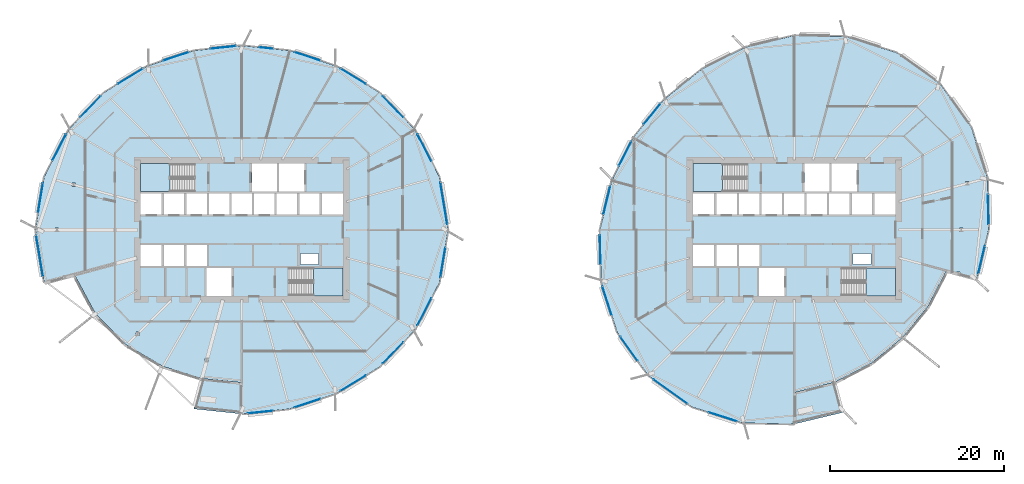
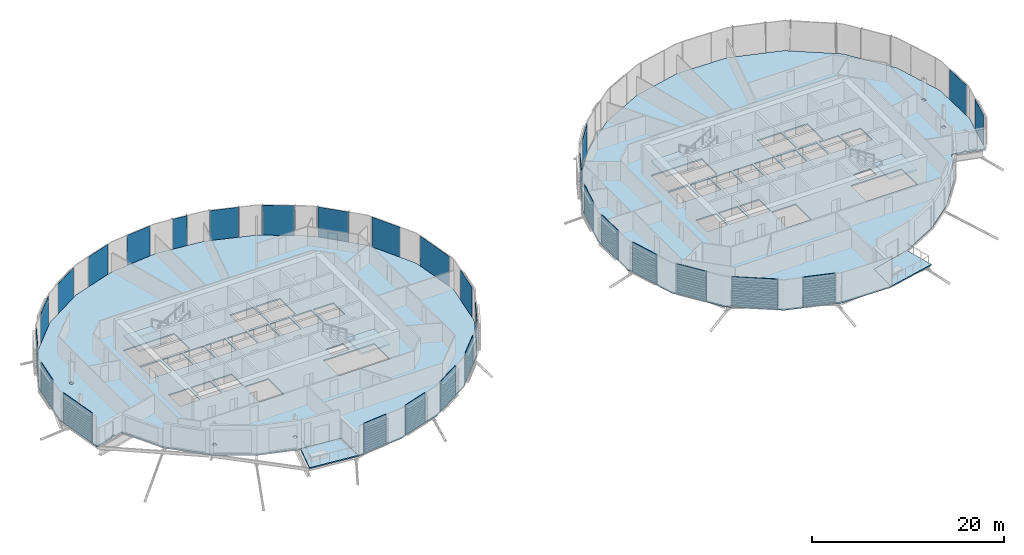
# One storey, part 20 of 43: 29 plates, 8 slabs, 6 elements without a shape of their own.
"""IFC4 building model written with IfcOpenShell, lengths in metres."""

from ifc_helpers import new_model, si_unit, direction, frame, origin, origin_2d, place, context, subcontext, project, spatial, polyline, rectangle, outline, extrude, material, layer, layer_set, type_object, element, aggregate, save


model = new_model("IFC4")

# Units and contexts
model_context = context("Model", 3, precision=1e-05, world=origin(), true_north=direction((0.0, 1.0)))
body_context = subcontext(model_context, "Body", "Model", "MODEL_VIEW")
ifc_project = project(units=[si_unit("LENGTHUNIT", "METRE"), si_unit("AREAUNIT", "SQUARE_METRE"), si_unit("VOLUMEUNIT", "CUBIC_METRE"), si_unit("PLANEANGLEUNIT", "RADIAN"), si_unit("MASSUNIT", "GRAM", prefix="KILO")], contexts=[model_context])

# Site, building, storey
site_placement = place(None, origin())
site = spatial("IfcSite", under=ifc_project, at=site_placement, CompositionType="ELEMENT")
building_placement = place(site_placement, origin())
building = spatial("IfcBuilding", under=site, at=building_placement, Name="Rimbun Link Towers", CompositionType="ELEMENT")
storey_placement = place(building_placement, frame((0.0, 0.0, 81.60009765625)))
storey = spatial("IfcBuildingStorey", under=building, at=storey_placement, Name="L19", CompositionType="ELEMENT", Elevation=81.60009765625)

# Slabs
ifc_material_1 = material(Name="Concrete C35/45", Category="concrete")
ifc_layer_1 = layer(ifc_material_1, 0.159912109375)
ifc_layer_set_1 = layer_set([ifc_layer_1], Name="COMPOSITE FLOOR 160")
slab_type_1 = type_object("IfcSlabType", Name="COMPOSITE FLOOR 160", PredefinedType="FLOOR", material=ifc_layer_set_1)
slab_1_placement = place(storey_placement, frame((0.0, 0.0, -0.16015625)))
element("IfcSlab", 1, at=slab_1_placement, inside=storey, type_object=slab_type_1, Name="Floor slab T1 L19", PredefinedType="FLOOR", context=body_context, shape_type="SweptSolid", body=[
    extrude(outline(polyline([(-54.45556640625, -6.083984375), (-55.455810546875, 0.0), (-54.45556640625, 6.083984375), (-51.65673828125, 11.4931640625), (-47.53857421875, 15.78857421875), (-42.61181640625, 18.8134765625), (-37.265869140625, 20.585205078125), (-31.75, 21.166015625), (-26.234130859375, 20.585205078125), (-20.88818359375, 18.8134765625), (-15.96142578125, 15.78857421875), (-11.84326171875, 11.4931640625), (-9.04443359375, 6.083984375), (-8.044189453125, 0.0), (-9.04443359375, -6.083984375), (-11.84326171875, -11.4931640625), (-15.96142578125, -15.78857421875), (-20.88818359375, -18.8134765625), (-26.234130859375, -20.585205078125), (-31.75, -21.166015625), (-31.75, -17.56591796875), (-36.333984375, -17.10791015625), (-40.81201171875, -15.69580078125), (-44.992919921875, -13.242919921875), (-48.5390625, -9.693115234375), (-50.978271484375, -5.152099609375), (-51.868896484375, -5.390869140625), (-51.868896484375, -5.24755859375), (-52.267822265625, -5.24755859375), (-52.267822265625, -5.497802734375), (-54.45556640625, -6.083984375)]), holes=[polyline([(-35.559814453125, -15.159912109375), (-35.559814453125, -14.76611328125), (-35.958740234375, -14.76611328125), (-35.958740234375, -15.159912109375), (-35.559814453125, -15.159912109375)]), polyline([(-43.5205078125, -12.166748046875), (-43.5205078125, -11.773193359375), (-43.91943359375, -11.773193359375), (-43.91943359375, -12.166748046875), (-43.5205078125, -12.166748046875)]), polyline([(-43.375, -4.14990234375), (-40.95556640625, -4.14990234375), (-40.95556640625, -1.75), (-43.375, -1.75), (-43.375, -4.14990234375)]), polyline([(-40.70556640625, -4.14990234375), (-38.361083984375, -4.14990234375), (-38.361083984375, -1.75), (-40.70556640625, -1.75), (-40.70556640625, -4.14990234375)]), polyline([(-35.7666015625, -4.14990234375), (-35.7666015625, -1.75), (-38.111083984375, -1.75), (-38.111083984375, -4.14990234375), (-35.7666015625, -4.14990234375)]), polyline([(-53.185791015625, -0.19677734375), (-52.786865234375, -0.19677734375), (-52.786865234375, 0.19677734375), (-53.185791015625, 0.19677734375), (-53.185791015625, -0.19677734375)]), polyline([(-43.375, 1.75), (-40.95556640625, 1.75), (-40.95556640625, 4.14990234375), (-43.375, 4.14990234375), (-43.375, 1.75)]), polyline([(-38.361083984375, 1.75), (-38.361083984375, 4.14990234375), (-40.70556640625, 4.14990234375), (-40.70556640625, 1.75), (-38.361083984375, 1.75)]), polyline([(-38.111083984375, 1.75), (-35.7666015625, 1.75), (-35.7666015625, 4.14990234375), (-38.111083984375, 4.14990234375), (-38.111083984375, 1.75)]), polyline([(-51.278076171875, 4.982421875), (-50.87890625, 4.982421875), (-50.87890625, 5.3759765625), (-51.278076171875, 5.3759765625), (-51.278076171875, 4.982421875)]), polyline([(-37.260009765625, 4.39990234375), (-37.260009765625, 7.625), (-43.375, 7.625), (-43.375, 4.39990234375), (-37.260009765625, 4.39990234375)]), polyline([(-35.800048828125, -7.625), (-32.89990234375, -7.625), (-32.89990234375, -4.39990234375), (-35.800048828125, -4.39990234375), (-35.800048828125, -7.625)]), polyline([(-26.239990234375, -7.625), (-20.125, -7.625), (-20.125, -4.39990234375), (-26.239990234375, -4.39990234375), (-26.239990234375, -7.625)]), polyline([(-24.989013671875, -4.0), (-22.9443359375, -4.0), (-22.9443359375, -2.75), (-24.989013671875, -2.75), (-24.989013671875, -4.0)]), polyline([(-35.5166015625, 1.75), (-33.172119140625, 1.75), (-33.172119140625, 4.14990234375), (-35.5166015625, 4.14990234375), (-35.5166015625, 1.75)]), polyline([(-32.922119140625, 1.75), (-30.577880859375, 1.75), (-30.577880859375, 4.14990234375), (-32.922119140625, 4.14990234375), (-32.922119140625, 1.75)]), polyline([(-27.9833984375, 1.75), (-27.9833984375, 4.14990234375), (-30.327880859375, 4.14990234375), (-30.327880859375, 1.75), (-27.9833984375, 1.75)]), polyline([(-27.7333984375, 1.75), (-25.388916015625, 1.75), (-25.388916015625, 4.14990234375), (-27.7333984375, 4.14990234375), (-27.7333984375, 1.75)]), polyline([(-25.138916015625, 1.75), (-22.79443359375, 1.75), (-22.79443359375, 4.14990234375), (-25.138916015625, 4.14990234375), (-25.138916015625, 1.75)]), polyline([(-20.125, 1.75), (-20.125, 4.14990234375), (-22.54443359375, 4.14990234375), (-22.54443359375, 1.75), (-20.125, 1.75)]), polyline([(-30.60009765625, 4.39990234375), (-27.699951171875, 4.39990234375), (-27.699951171875, 7.625), (-30.60009765625, 7.625), (-30.60009765625, 4.39990234375)]), polyline([(-27.449951171875, 4.39990234375), (-24.550048828125, 4.39990234375), (-24.550048828125, 7.625), (-27.449951171875, 7.625), (-27.449951171875, 4.39990234375)])]), origin(), (0.0, 0.0, 1.0), 0.16015625),
])
slab_2_placement = place(storey_placement, frame((0.0, 0.0, -0.16015625)))
element("IfcSlab", 2, at=slab_2_placement, inside=storey, type_object=slab_type_1, Name="Floor slab T2 L19", PredefinedType="FLOOR", context=body_context, shape_type="SweptSolid", body=[
    extrude(outline(polyline([(49.25634765625, -4.69091796875), (47.08837890625, -8.855712890625), (44.1708984375, -12.4208984375), (40.605712890625, -15.33837890625), (36.44091796875, -17.50634765625), (31.75, -18.728271484375), (31.75, -22.328369140625), (25.80078125, -22.202880859375), (19.996826171875, -20.357177734375), (14.9873046875, -16.7626953125), (11.392822265625, -11.753173828125), (9.547119140625, -5.94921875), (9.421630859375, 0.0), (10.766357421875, 5.62255859375), (13.2939453125, 10.655517578125), (16.783447265625, 14.966552734375), (21.094482421875, 18.4560546875), (26.12744140625, 20.983642578125), (31.75, 22.328369140625), (37.69921875, 22.202880859375), (43.503173828125, 20.357177734375), (48.5126953125, 16.7626953125), (52.107177734375, 11.753173828125), (53.952880859375, 5.94921875), (54.078369140625, 0.0), (52.733642578125, -5.62255859375), (50.811767578125, -5.107666015625), (50.811767578125, -4.857421875), (50.41259765625, -4.857421875), (50.41259765625, -5.000732421875), (49.25634765625, -4.69091796875)]), holes=[polyline([(30.60009765625, -7.625), (30.60009765625, -4.39990234375), (27.699951171875, -4.39990234375), (27.699951171875, -7.625), (30.60009765625, -7.625)]), polyline([(22.54443359375, -4.14990234375), (22.54443359375, -1.75), (20.125, -1.75), (20.125, -4.14990234375), (22.54443359375, -4.14990234375)]), polyline([(25.138916015625, -4.14990234375), (25.138916015625, -1.75), (22.79443359375, -1.75), (22.79443359375, -4.14990234375), (25.138916015625, -4.14990234375)]), polyline([(25.388916015625, -4.14990234375), (27.7333984375, -4.14990234375), (27.7333984375, -1.75), (25.388916015625, -1.75), (25.388916015625, -4.14990234375)]), polyline([(20.125, 1.75), (22.54443359375, 1.75), (22.54443359375, 4.14990234375), (20.125, 4.14990234375), (20.125, 1.75)]), polyline([(25.138916015625, 1.75), (25.138916015625, 4.14990234375), (22.79443359375, 4.14990234375), (22.79443359375, 1.75), (25.138916015625, 1.75)]), polyline([(27.7333984375, 1.75), (27.7333984375, 4.14990234375), (25.388916015625, 4.14990234375), (25.388916015625, 1.75), (27.7333984375, 1.75)]), polyline([(30.327880859375, 1.75), (30.327880859375, 4.14990234375), (27.9833984375, 4.14990234375), (27.9833984375, 1.75), (30.327880859375, 1.75)]), polyline([(30.577880859375, 1.75), (32.922119140625, 1.75), (32.922119140625, 4.14990234375), (30.577880859375, 4.14990234375), (30.577880859375, 1.75)]), polyline([(33.172119140625, 1.75), (35.5166015625, 1.75), (35.5166015625, 4.14990234375), (33.172119140625, 4.14990234375), (33.172119140625, 1.75)]), polyline([(26.239990234375, 4.39990234375), (26.239990234375, 7.625), (20.125, 7.625), (20.125, 4.39990234375), (26.239990234375, 4.39990234375)]), polyline([(43.375, -7.625), (43.375, -4.39990234375), (37.260009765625, -4.39990234375), (37.260009765625, -7.625), (43.375, -7.625)]), polyline([(38.510986328125, -2.75), (38.510986328125, -4.0), (40.5556640625, -4.0), (40.5556640625, -2.75), (38.510986328125, -2.75)]), polyline([(50.749755859375, -0.19677734375), (51.148681640625, -0.19677734375), (51.148681640625, 0.19677734375), (50.749755859375, 0.19677734375), (50.749755859375, -0.19677734375)]), polyline([(38.111083984375, 1.75), (38.111083984375, 4.14990234375), (35.7666015625, 4.14990234375), (35.7666015625, 1.75), (38.111083984375, 1.75)]), polyline([(38.361083984375, 1.75), (40.70556640625, 1.75), (40.70556640625, 4.14990234375), (38.361083984375, 4.14990234375), (38.361083984375, 1.75)]), polyline([(40.95556640625, 1.75), (43.375, 1.75), (43.375, 4.14990234375), (40.95556640625, 4.14990234375), (40.95556640625, 1.75)]), polyline([(51.851318359375, 5.135986328125), (51.851318359375, 5.529541015625), (51.452392578125, 5.529541015625), (51.452392578125, 5.135986328125), (51.851318359375, 5.135986328125)]), polyline([(32.89990234375, 4.39990234375), (35.800048828125, 4.39990234375), (35.800048828125, 7.625), (32.89990234375, 7.625), (32.89990234375, 4.39990234375)]), polyline([(36.050048828125, 4.39990234375), (38.949951171875, 4.39990234375), (38.949951171875, 7.625), (36.050048828125, 7.625), (36.050048828125, 4.39990234375)])]), origin(), (0.0, 0.0, 1.0), 0.16015625),
])

# Curtain wall, plates
ifc_material_2 = material(Name="Aluminium 6063-T6 and low-iron glass", Category="aluminium")
curtain_wall_type = type_object("IfcCurtainWallType", Name="CW1-Z2 unitised vision wall (zone 2)", PredefinedType="NOTDEFINED", material=ifc_material_2)
curtain_wall_1_placement = place(storey_placement, origin())
curtain_wall_1 = element("IfcCurtainWall", 3, at=curtain_wall_1_placement, inside=storey, type_object=curtain_wall_type, Name="CW1 L19 T1", PredefinedType="NOTDEFINED")
ifc_material_3 = material(Name="Low-iron glass, laminated low-e unit", Category="glass")
ifc_layer_2 = layer(ifc_material_3, 0.028076171875)
ifc_layer_set_2 = layer_set([ifc_layer_2], Name="CW1 panel Low-iron glass 28")
plate_type = type_object("IfcPlateType", Name="CW1 panel Low-iron glass 28", PredefinedType="CURTAIN_PANEL", material=ifc_layer_set_2)
plate_1_placement = place(storey_placement, frame((-8.530517578125, 3.044189453125, 0.0), z_axis=(0.0, 0.0, 1.0), x_axis=(0.162255058613, -0.986748851509, 0.0)))
plate_1 = element("IfcPlate", 4, at=plate_1_placement, type_object=plate_type, Name="CW1 panel", PredefinedType="CURTAIN_PANEL", context=body_context, shape_type="SweptSolid", body=[
    extrude(rectangle(XDim=4.82568359375, YDim=0.028076171875, at=origin_2d()), origin(), (0.0, 0.0, 1.0), 3.800048828125),
])
plate_2_placement = place(storey_placement, frame((-10.753173828125, 9.416748046875, 0.0), z_axis=(0.0, 0.0, 1.0), x_axis=(0.459544411514, -0.888154791602, 0.0)))
plate_2 = element("IfcPlate", 5, at=plate_2_placement, type_object=plate_type, Name="CW1 panel", PredefinedType="CURTAIN_PANEL", context=body_context, shape_type="SweptSolid", body=[
    extrude(rectangle(XDim=3.450439453125, YDim=0.028076171875, at=origin_2d()), origin(), (0.0, 0.0, 1.0), 3.800048828125),
])
plate_3_placement = place(storey_placement, frame((-14.359375, 14.1376953125, 0.0), z_axis=(0.0, 0.0, 1.0), x_axis=(0.692060834658, -0.721839179549, 0.0)))
plate_3 = element("IfcPlate", 6, at=plate_3_placement, type_object=plate_type, Name="CW1 panel", PredefinedType="CURTAIN_PANEL", context=body_context, shape_type="SweptSolid", body=[
    extrude(rectangle(XDim=3.360595703125, YDim=0.028076171875, at=origin_2d()), origin(), (0.0, 0.0, 1.0), 3.800048828125),
])
plate_4_placement = place(storey_placement, frame((-18.9287109375, 17.626708984375, 0.0), z_axis=(0.0, 0.0, 1.0), x_axis=(0.852187057689, -0.523237248968, 0.0)))
plate_4 = element("IfcPlate", 7, at=plate_4_placement, type_object=plate_type, Name="CW1 panel", PredefinedType="CURTAIN_PANEL", context=body_context, shape_type="SweptSolid", body=[
    extrude(rectangle(XDim=3.341064453125, YDim=0.028076171875, at=origin_2d()), origin(), (0.0, 0.0, 1.0), 3.800048828125),
])
plate_5_placement = place(storey_placement, frame((-24.173828125, 19.9169921875, 0.0), z_axis=(0.0, 0.0, 1.0), x_axis=(0.949232284646, -0.314576015911, 0.0)))
plate_5 = element("IfcPlate", 8, at=plate_5_placement, type_object=plate_type, Name="CW1 panel", PredefinedType="CURTAIN_PANEL", context=body_context, shape_type="SweptSolid", body=[
    extrude(rectangle(XDim=3.092041015625, YDim=0.028076171875, at=origin_2d()), origin(), (0.0, 0.0, 1.0), 3.800048828125),
])
plate_6_placement = place(storey_placement, frame((-28.94091796875, 20.88427734375, 0.0), z_axis=(0.0, 0.0, 1.0), x_axis=(0.994500017876, -0.104736404583, 0.0)))
plate_6 = element("IfcPlate", 9, at=plate_6_placement, type_object=plate_type, Name="CW1 panel", PredefinedType="CURTAIN_PANEL", context=body_context, shape_type="SweptSolid", body=[
    extrude(rectangle(XDim=1.606201171875, YDim=0.028076171875, at=origin_2d()), origin(), (0.0, 0.0, 1.0), 3.800048828125),
])
plate_7_placement = place(storey_placement, frame((-33.8876953125, 20.954833984375, 0.0), z_axis=(0.0, 0.0, 1.0), x_axis=(0.994500017876, 0.104736404583, 0.0)))
plate_7 = element("IfcPlate", 10, at=plate_7_placement, type_object=plate_type, Name="CW1 panel", PredefinedType="CURTAIN_PANEL", context=body_context, shape_type="SweptSolid", body=[
    extrude(rectangle(XDim=2.956298828125, YDim=0.028076171875, at=origin_2d()), origin(), (0.0, 0.0, 1.0), 3.800048828125),
])
plate_8_placement = place(storey_placement, frame((-39.326171875, 19.9169921875, 0.0), z_axis=(0.0, 0.0, 1.0), x_axis=(0.949232284646, 0.314576015911, 0.0)))
plate_8 = element("IfcPlate", 11, at=plate_8_placement, type_object=plate_type, Name="CW1 panel", PredefinedType="CURTAIN_PANEL", context=body_context, shape_type="SweptSolid", body=[
    extrude(rectangle(XDim=3.092041015625, YDim=0.028076171875, at=origin_2d()), origin(), (0.0, 0.0, 1.0), 3.800048828125),
])
plate_9_placement = place(storey_placement, frame((-44.5712890625, 17.626708984375, 0.0), z_axis=(0.0, 0.0, 1.0), x_axis=(0.852187057689, 0.523237248968, 0.0)))
plate_9 = element("IfcPlate", 12, at=plate_9_placement, type_object=plate_type, Name="CW1 panel", PredefinedType="CURTAIN_PANEL", context=body_context, shape_type="SweptSolid", body=[
    extrude(rectangle(XDim=3.341064453125, YDim=0.028076171875, at=origin_2d()), origin(), (0.0, 0.0, 1.0), 3.800048828125),
])
plate_10_placement = place(storey_placement, frame((-49.140625, 14.1376953125, 0.0), z_axis=(0.0, 0.0, 1.0), x_axis=(0.692060834658, 0.721839179549, 0.0)))
plate_10 = element("IfcPlate", 13, at=plate_10_placement, type_object=plate_type, Name="CW1 panel", PredefinedType="CURTAIN_PANEL", context=body_context, shape_type="SweptSolid", body=[
    extrude(rectangle(XDim=3.360595703125, YDim=0.028076171875, at=origin_2d()), origin(), (0.0, 0.0, 1.0), 3.800048828125),
])
plate_11_placement = place(storey_placement, frame((-52.723876953125, 9.4609375, 0.0), z_axis=(0.0, 0.0, 1.0), x_axis=(0.459544411514, 0.888154791602, 0.0)))
plate_11 = element("IfcPlate", 14, at=plate_11_placement, type_object=plate_type, Name="CW1 panel", PredefinedType="CURTAIN_PANEL", context=body_context, shape_type="SweptSolid", body=[
    extrude(rectangle(XDim=3.350341796875, YDim=0.028076171875, at=origin_2d()), origin(), (0.0, 0.0, 1.0), 3.800048828125),
])
plate_12_placement = place(storey_placement, frame((-54.8720703125, 3.63623046875, 0.0), z_axis=(0.0, 0.0, 1.0), x_axis=(0.162255058613, 0.986748851509, 0.0)))
plate_12 = element("IfcPlate", 15, at=plate_12_placement, type_object=plate_type, Name="CW1 panel", PredefinedType="CURTAIN_PANEL", context=body_context, shape_type="SweptSolid", body=[
    extrude(rectangle(XDim=3.425537109375, YDim=0.028076171875, at=origin_2d()), origin(), (0.0, 0.0, 1.0), 3.800048828125),
])
plate_13_placement = place(storey_placement, frame((-54.9775390625, -2.994873046875, 0.0), z_axis=(0.0, 0.0, 1.0), x_axis=(-0.162255058613, 0.986748851509, 0.0)))
plate_13 = element("IfcPlate", 16, at=plate_13_placement, type_object=plate_type, Name="CW1 panel", PredefinedType="CURTAIN_PANEL", context=body_context, shape_type="SweptSolid", body=[
    extrude(rectangle(XDim=4.7255859375, YDim=0.028076171875, at=origin_2d()), origin(), (0.0, 0.0, 1.0), 3.800048828125),
])
plate_14_placement = place(storey_placement, frame((-29.6123046875, -20.954833984375, 0.0), z_axis=(0.0, 0.0, 1.0), x_axis=(-0.994500017876, -0.104736404583, 0.0)))
plate_14 = element("IfcPlate", 17, at=plate_14_placement, type_object=plate_type, Name="CW1 panel", PredefinedType="CURTAIN_PANEL", context=body_context, shape_type="SweptSolid", body=[
    extrude(rectangle(XDim=2.856201171875, YDim=0.028076171875, at=origin_2d()), origin(), (0.0, 0.0, 1.0), 3.800048828125),
])
plate_15_placement = place(storey_placement, frame((-24.173828125, -19.9169921875, 0.0), z_axis=(0.0, 0.0, 1.0), x_axis=(-0.949232284646, -0.314576015911, 0.0)))
plate_15 = element("IfcPlate", 18, at=plate_15_placement, type_object=plate_type, Name="CW1 panel", PredefinedType="CURTAIN_PANEL", context=body_context, shape_type="SweptSolid", body=[
    extrude(rectangle(XDim=3.092041015625, YDim=0.028076171875, at=origin_2d()), origin(), (0.0, 0.0, 1.0), 3.800048828125),
])
plate_16_placement = place(storey_placement, frame((-18.9287109375, -17.626708984375, 0.0), z_axis=(0.0, 0.0, 1.0), x_axis=(-0.852187057689, -0.523237248968, 0.0)))
plate_16 = element("IfcPlate", 19, at=plate_16_placement, type_object=plate_type, Name="CW1 panel", PredefinedType="CURTAIN_PANEL", context=body_context, shape_type="SweptSolid", body=[
    extrude(rectangle(XDim=3.341064453125, YDim=0.028076171875, at=origin_2d()), origin(), (0.0, 0.0, 1.0), 3.800048828125),
])
plate_17_placement = place(storey_placement, frame((-14.359375, -14.1376953125, 0.0), z_axis=(0.0, 0.0, 1.0), x_axis=(-0.692060834658, -0.721839179549, 0.0)))
plate_17 = element("IfcPlate", 20, at=plate_17_placement, type_object=plate_type, Name="CW1 panel", PredefinedType="CURTAIN_PANEL", context=body_context, shape_type="SweptSolid", body=[
    extrude(rectangle(XDim=3.360595703125, YDim=0.028076171875, at=origin_2d()), origin(), (0.0, 0.0, 1.0), 3.800048828125),
])
plate_18_placement = place(storey_placement, frame((-10.753173828125, -9.416748046875, 0.0), z_axis=(0.0, 0.0, 1.0), x_axis=(-0.459544411514, -0.888154791602, 0.0)))
plate_18 = element("IfcPlate", 21, at=plate_18_placement, type_object=plate_type, Name="CW1 panel", PredefinedType="CURTAIN_PANEL", context=body_context, shape_type="SweptSolid", body=[
    extrude(rectangle(XDim=3.450439453125, YDim=0.028076171875, at=origin_2d()), origin(), (0.0, 0.0, 1.0), 3.800048828125),
])
plate_19_placement = place(storey_placement, frame((-8.64404296875, -3.73486328125, 0.0), z_axis=(0.0, 0.0, 1.0), x_axis=(-0.162255058613, -0.986748851509, 0.0)))
plate_19 = element("IfcPlate", 22, at=plate_19_placement, type_object=plate_type, Name="CW1 panel", PredefinedType="CURTAIN_PANEL", context=body_context, shape_type="SweptSolid", body=[
    extrude(rectangle(XDim=3.425537109375, YDim=0.028076171875, at=origin_2d()), origin(), (0.0, 0.0, 1.0), 3.800048828125),
])
aggregate(curtain_wall_1, [plate_1, plate_2, plate_3, plate_4, plate_5, plate_6, plate_7, plate_8, plate_9, plate_10, plate_11, plate_12, plate_13, plate_14, plate_15, plate_16, plate_17, plate_18, plate_19])

curtain_wall_2_placement = place(storey_placement, origin())
curtain_wall_2 = element("IfcCurtainWall", 23, at=curtain_wall_2_placement, inside=storey, type_object=curtain_wall_type, Name="CW1 L19 T2", PredefinedType="NOTDEFINED")
plate_20_placement = place(storey_placement, frame((15.4052734375, 13.286376953125, 0.0), z_axis=(0.0, 0.0, 1.0), x_axis=(0.629159327388, 0.777276360608, 0.0)))
plate_20 = element("IfcPlate", 24, at=plate_20_placement, type_object=plate_type, Name="CW1 panel", PredefinedType="CURTAIN_PANEL", context=body_context, shape_type="SweptSolid", body=[
    extrude(rectangle(XDim=3.00634765625, YDim=0.028076171875, at=origin_2d()), origin(), (0.0, 0.0, 1.0), 3.800048828125),
])
plate_21_placement = place(storey_placement, frame((12.309326171875, 8.726318359375, 0.0), z_axis=(0.0, 0.0, 1.0), x_axis=(0.448789594585, 0.893637454336, 0.0)))
plate_21 = element("IfcPlate", 25, at=plate_21_placement, type_object=plate_type, Name="CW1 panel", PredefinedType="CURTAIN_PANEL", context=body_context, shape_type="SweptSolid", body=[
    extrude(rectangle(XDim=3.092041015625, YDim=0.028076171875, at=origin_2d()), origin(), (0.0, 0.0, 1.0), 3.800048828125),
])
plate_22_placement = place(storey_placement, frame((10.219970703125, 3.398193359375, 0.0), z_axis=(0.0, 0.0, 1.0), x_axis=(0.232583884072, 0.972576339867, 0.0)))
plate_22 = element("IfcPlate", 26, at=plate_22_placement, type_object=plate_type, Name="CW1 panel", PredefinedType="CURTAIN_PANEL", context=body_context, shape_type="SweptSolid", body=[
    extrude(rectangle(XDim=3.341064453125, YDim=0.028076171875, at=origin_2d()), origin(), (0.0, 0.0, 1.0), 3.800048828125),
])
plate_23_placement = place(storey_placement, frame((9.4560546875, -2.300048828125, 0.0), z_axis=(0.0, 0.0, 1.0), x_axis=(-0.02105663171, 0.999778284552, 0.0)))
plate_23 = element("IfcPlate", 27, at=plate_23_placement, type_object=plate_type, Name="CW1 panel", PredefinedType="CURTAIN_PANEL", context=body_context, shape_type="SweptSolid", body=[
    extrude(rectangle(XDim=3.360595703125, YDim=0.028076171875, at=origin_2d()), origin(), (0.0, 0.0, 1.0), 3.800048828125),
])
plate_24_placement = place(storey_placement, frame((10.244384765625, -8.1884765625, 0.0), z_axis=(0.0, 0.0, 1.0), x_axis=(-0.303070142328, 0.952968251743, 0.0)))
plate_24 = element("IfcPlate", 28, at=plate_24_placement, type_object=plate_type, Name="CW1 panel", PredefinedType="CURTAIN_PANEL", context=body_context, shape_type="SweptSolid", body=[
    extrude(rectangle(XDim=3.450439453125, YDim=0.028076171875, at=origin_2d()), origin(), (0.0, 0.0, 1.0), 3.800048828125),
])
plate_25_placement = place(storey_placement, frame((12.756103515625, -13.677001953125, 0.0), z_axis=(0.0, 0.0, 1.0), x_axis=(-0.583004243446, 0.812469108412, 0.0)))
plate_25 = element("IfcPlate", 29, at=plate_25_placement, type_object=plate_type, Name="CW1 panel", PredefinedType="CURTAIN_PANEL", context=body_context, shape_type="SweptSolid", body=[
    extrude(rectangle(XDim=3.375732421875, YDim=0.028076171875, at=origin_2d()), origin(), (0.0, 0.0, 1.0), 3.800048828125),
])
plate_26_placement = place(storey_placement, frame((17.504150390625, -18.5859375, 0.0), z_axis=(0.0, 0.0, 1.0), x_axis=(-0.812469108412, 0.583004243446, 0.0)))
plate_26 = element("IfcPlate", 30, at=plate_26_placement, type_object=plate_type, Name="CW1 panel", PredefinedType="CURTAIN_PANEL", context=body_context, shape_type="SweptSolid", body=[
    extrude(rectangle(XDim=4.775634765625, YDim=0.028076171875, at=origin_2d()), origin(), (0.0, 0.0, 1.0), 3.800048828125),
])
plate_27_placement = place(storey_placement, frame((23.537841796875, -21.498046875, 0.0), z_axis=(0.0, 0.0, 1.0), x_axis=(-0.952968251743, 0.303070142328, 0.0)))
plate_27 = element("IfcPlate", 31, at=plate_27_placement, type_object=plate_type, Name="CW1 panel", PredefinedType="CURTAIN_PANEL", context=body_context, shape_type="SweptSolid", body=[
    extrude(rectangle(XDim=3.400390625, YDim=0.028076171875, at=origin_2d()), origin(), (0.0, 0.0, 1.0), 3.800048828125),
])
plate_28_placement = place(storey_placement, frame((53.2626953125, -3.470947265625, 0.0), z_axis=(0.0, 0.0, 1.0), x_axis=(-0.232583884072, -0.972576339867, 0.0)))
plate_28 = element("IfcPlate", 32, at=plate_28_placement, type_object=plate_type, Name="CW1 panel", PredefinedType="CURTAIN_PANEL", context=body_context, shape_type="SweptSolid", body=[
    extrude(rectangle(XDim=3.191162109375, YDim=0.028076171875, at=origin_2d()), origin(), (0.0, 0.0, 1.0), 3.800048828125),
])
plate_29_placement = place(storey_placement, frame((54.043212890625, 2.3251953125, 0.0), z_axis=(0.0, 0.0, 1.0), x_axis=(0.02105663171, -0.999778284552, 0.0)))
plate_29 = element("IfcPlate", 33, at=plate_29_placement, type_object=plate_type, Name="CW1 panel", PredefinedType="CURTAIN_PANEL", context=body_context, shape_type="SweptSolid", body=[
    extrude(rectangle(XDim=3.41064453125, YDim=0.028076171875, at=origin_2d()), origin(), (0.0, 0.0, 1.0), 3.800048828125),
])
aggregate(curtain_wall_2, [plate_20, plate_21, plate_22, plate_23, plate_24, plate_25, plate_26, plate_27, plate_28, plate_29])

# Stair, slab
ifc_material_4 = material(Name="Concrete C40/50", Category="concrete")
stair_type = type_object("IfcStairType", Name="Exit stair 3800 rise", PredefinedType="HALF_TURN_STAIR", material=ifc_material_4)
stair_1_placement = place(storey_placement, origin())
stair_1 = element("IfcStair", 34, at=stair_1_placement, inside=storey, type_object=stair_type, Name="L19 EXIT STAIR A", PredefinedType="HALF_TURN_STAIR")
ifc_material_5 = material(Name="Concrete C40/50", Category="concrete")
ifc_layer_3 = layer(ifc_material_5, 0.199951171875)
ifc_layer_set_3 = layer_set([ifc_layer_3], Name="Stair landing")
slab_type_2 = type_object("IfcSlabType", Name="Stair landing", PredefinedType="LANDING", material=ifc_layer_set_3)
slab_3_placement = place(storey_placement, frame((0.0, 0.0, 1.699951171875)))
slab_3 = element("IfcSlab", 35, at=slab_3_placement, type_object=slab_type_2, Name="ST1 landing 1", PredefinedType="LANDING", context=body_context, shape_type="SweptSolid", body=[
    extrude(outline(polyline([(-40.0, 7.625), (-43.375, 7.625), (-43.375, 4.39990234375), (-40.0, 4.39990234375), (-40.0, 7.625)])), origin(), (0.0, 0.0, 1.0), 0.199951171875),
])
aggregate(stair_1, [slab_3])

stair_2_placement = place(storey_placement, origin())
stair_2 = element("IfcStair", 36, at=stair_2_placement, inside=storey, type_object=stair_type, Name="L19 EXIT STAIR B", PredefinedType="HALF_TURN_STAIR")
slab_4_placement = place(storey_placement, frame((0.0, 0.0, 1.699951171875)))
slab_4 = element("IfcSlab", 37, at=slab_4_placement, type_object=slab_type_2, Name="ST2 landing 1", PredefinedType="LANDING", context=body_context, shape_type="SweptSolid", body=[
    extrude(outline(polyline([(-23.5, -7.625), (-20.125, -7.625), (-20.125, -4.39990234375), (-23.5, -4.39990234375), (-23.5, -7.625)])), origin(), (0.0, 0.0, 1.0), 0.199951171875),
])
aggregate(stair_2, [slab_4])

stair_3_placement = place(storey_placement, origin())
stair_3 = element("IfcStair", 38, at=stair_3_placement, inside=storey, type_object=stair_type, Name="L19 EXIT STAIR A", PredefinedType="HALF_TURN_STAIR")
slab_5_placement = place(storey_placement, frame((0.0, 0.0, 1.699951171875)))
slab_5 = element("IfcSlab", 39, at=slab_5_placement, type_object=slab_type_2, Name="ST3 landing 1", PredefinedType="LANDING", context=body_context, shape_type="SweptSolid", body=[
    extrude(outline(polyline([(23.5, 7.625), (20.125, 7.625), (20.125, 4.39990234375), (23.5, 4.39990234375), (23.5, 7.625)])), origin(), (0.0, 0.0, 1.0), 0.199951171875),
])
aggregate(stair_3, [slab_5])

stair_4_placement = place(storey_placement, origin())
stair_4 = element("IfcStair", 40, at=stair_4_placement, inside=storey, type_object=stair_type, Name="L19 EXIT STAIR B", PredefinedType="HALF_TURN_STAIR")
slab_6_placement = place(storey_placement, frame((0.0, 0.0, 1.699951171875)))
slab_6 = element("IfcSlab", 41, at=slab_6_placement, type_object=slab_type_2, Name="ST4 landing 1", PredefinedType="LANDING", context=body_context, shape_type="SweptSolid", body=[
    extrude(outline(polyline([(40.0, -7.625), (43.375, -7.625), (43.375, -4.39990234375), (40.0, -4.39990234375), (40.0, -7.625)])), origin(), (0.0, 0.0, 1.0), 0.199951171875),
])
aggregate(stair_4, [slab_6])

# Slabs
ifc_material_6 = material(Name="Concrete C35/45", Category="concrete")
ifc_layer_4 = layer(ifc_material_6, 0.159912109375)
ifc_layer_set_4 = layer_set([ifc_layer_4], Name="TERRACE SLAB 160")
slab_type_3 = type_object("IfcSlabType", Name="TERRACE SLAB 160", PredefinedType="FLOOR", material=ifc_layer_set_4)
slab_7_placement = place(storey_placement, frame((0.0, 0.0, -0.16015625)))
element("IfcSlab", 42, at=slab_7_placement, inside=storey, type_object=slab_type_3, Name="Terrace slab T1 L19", PredefinedType="FLOOR", context=body_context, shape_type="SweptSolid", body=[
    extrude(outline(polyline([(-36.333984375, -17.10791015625), (-31.75, -17.56591796875), (-31.75, -21.166015625), (-37.265869140625, -20.585205078125), (-36.333984375, -17.10791015625)])), origin(), (0.0, 0.0, 1.0), 0.16015625),
])
slab_8_placement = place(storey_placement, frame((0.0, 0.0, -0.16015625)))
element("IfcSlab", 43, at=slab_8_placement, inside=storey, type_object=slab_type_3, Name="Terrace slab T2 L19", PredefinedType="FLOOR", context=body_context, shape_type="SweptSolid", body=[
    extrude(outline(polyline([(31.75, -18.728271484375), (36.44091796875, -17.50634765625), (37.37255859375, -20.983642578125), (31.75, -22.328369140625), (31.75, -18.728271484375)])), origin(), (0.0, 0.0, 1.0), 0.16015625),
])

save(model, "model.ifc")
